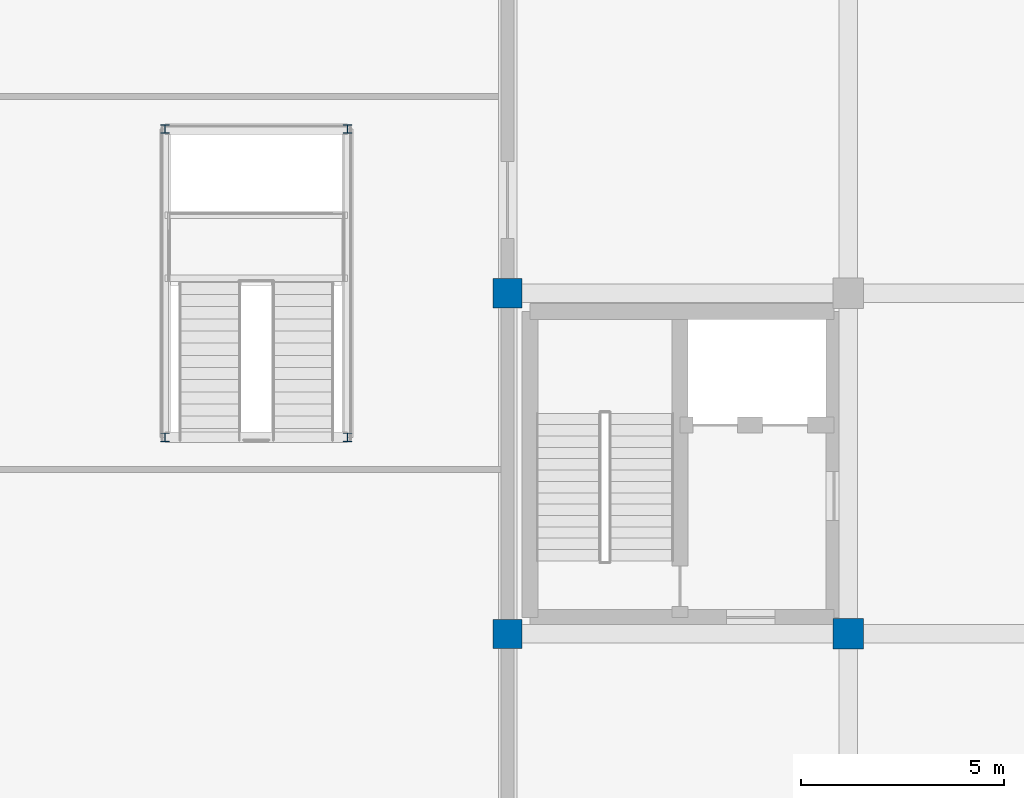
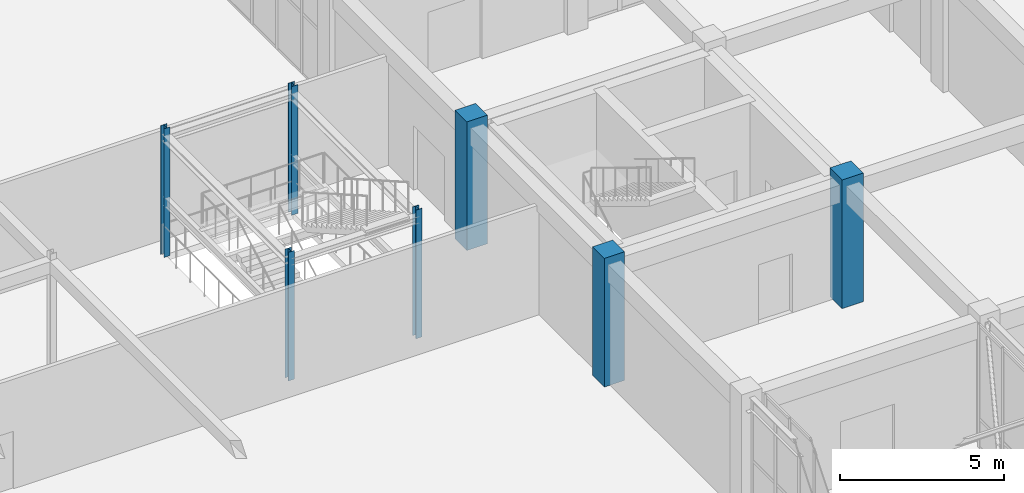
# One storey, part 4 of 158: 7 columns.
"""IFC4 building model written with IfcOpenShell, lengths in metres."""

import ifcopenshell
import ifcopenshell.guid

model = None  # the IFC model being written
_history = None  # IfcOwnerHistory: only IFC2X3 demands one
_inside = {}  # id of a spatial element -> (the spatial element, [elements in it])
_under = {}  # id of a project, library or spatial element -> (it, [spatial elements below it])
_declared = {}  # id of a project -> (the project, [libraries it declares])
_typed = {}  # id of a type object -> (the type object, [elements of that type])
_made_of = {}  # id of a material, layer set ... -> (it, [elements and type objects made of it])


def new_model(schema):
    """Start an empty IFC model of exactly this schema.

    Asked for "IFC4X3", IfcOpenShell would pick the latest addendum, in which some entities
    have other attributes; the version numbers below select the first issue.
    IFC2X3 requires an IfcOwnerHistory on every rooted entity: one is made here for all.
    """
    global model, _history
    if schema == "IFC4X3":
        model = ifcopenshell.file(schema_version=(4, 3, 0, 0))
    else:
        model = ifcopenshell.file(schema=schema)
    _inside.clear()
    _under.clear()
    _declared.clear()
    _typed.clear()
    _made_of.clear()
    _history = None
    if model.schema == "IFC2X3":
        org = make("IfcOrganization", Name="unknown")
        user = make(
            "IfcPersonAndOrganization",
            ThePerson=make("IfcPerson", FamilyName="unknown"),
            TheOrganization=org,
        )
        app = make(
            "IfcApplication",
            ApplicationDeveloper=org,
            Version="unknown",
            ApplicationFullName="unknown",
            ApplicationIdentifier="unknown",
        )
        _history = make(
            "IfcOwnerHistory",
            OwningUser=user,
            OwningApplication=app,
            ChangeAction="ADDED",
            CreationDate=0,
        )
    return model


def make(cls, **values):
    """One entity of the class cls with the attributes given. An attribute that is None is left unset."""
    return model.create_entity(
        cls, **{name: value for name, value in values.items() if value is not None}
    )


def rooted(cls, **values):
    """An entity with a GlobalId (a new one), such as an element, a storey or a relation."""
    return make(cls, GlobalId=ifcopenshell.guid.new(), OwnerHistory=_history, **values)


def si_unit(unit_type, name, prefix=None):
    """IfcSIUnit, for example si_unit("LENGTHUNIT", "METRE", prefix="MILLI")."""
    return make("IfcSIUnit", UnitType=unit_type, Prefix=prefix, Name=name)


def assignment(units):
    """IfcUnitAssignment: the units of a project."""
    return None if units is None else make("IfcUnitAssignment", Units=units)


def point(xyz):
    """IfcCartesianPoint."""
    return None if xyz is None else make("IfcCartesianPoint", Coordinates=xyz)


def direction(xyz):
    """IfcDirection."""
    return None if xyz is None else make("IfcDirection", DirectionRatios=xyz)


def frame(location, z_axis=None, x_axis=None):
    """IfcAxis2Placement3D, a coordinate frame: its origin and axes. An axis left out is left unset."""
    return make(
        "IfcAxis2Placement3D",
        Location=point(location),
        Axis=direction(z_axis),
        RefDirection=direction(x_axis),
    )


def frame_2d(location, x_axis=None):
    """IfcAxis2Placement2D, a coordinate frame in the plane: its origin and x axis."""
    return make(
        "IfcAxis2Placement2D", Location=point(location), RefDirection=direction(x_axis)
    )


def origin():
    """The frame at (0, 0, 0) with its axes left unset."""
    return frame((0.0, 0.0, 0.0))


def origin_2d():
    """The frame at (0, 0) in the plane with its x axis left unset."""
    return frame_2d((0.0, 0.0))


def place(relative_to, where):
    """IfcLocalPlacement: puts the frame where relative to a parent placement (None: the world)."""
    return make(
        "IfcLocalPlacement", PlacementRelTo=relative_to, RelativePlacement=where
    )


def context(
    kind, dimensions, precision=None, world=None, true_north=None, identifier=None
):
    """IfcGeometricRepresentationContext, for example the 3D "Model" context."""
    return make(
        "IfcGeometricRepresentationContext",
        ContextIdentifier=identifier,
        ContextType=kind,
        CoordinateSpaceDimension=dimensions,
        Precision=precision,
        WorldCoordinateSystem=world,
        TrueNorth=true_north,
    )


def subcontext(parent, identifier, kind, view, scale=None):
    """IfcGeometricRepresentationSubContext, for example "Body" below "Model"."""
    return make(
        "IfcGeometricRepresentationSubContext",
        ContextIdentifier=identifier,
        ContextType=kind,
        ParentContext=parent,
        TargetScale=scale,
        TargetView=view,
    )


def project(units=None, contexts=None):
    """IfcProject with its units and contexts."""
    return rooted(
        "IfcProject",
        Name="project",
        RepresentationContexts=contexts,
        UnitsInContext=assignment(units),
    )


def spatial(cls, under=None, at=None, **own):
    """A site, building, storey or space (cls), placed at a placement, below another one or the project."""
    s = rooted(cls, ObjectPlacement=at, **own)
    if under is not None:
        _under.setdefault(under.id(), (under, []))[1].append(s)
    return s


def profile(cls, at=None, kind="AREA", **sizes):
    """A parametric profile (cls). Its sizes go by their IFC names, for example OverallWidth=200.0."""
    return make(cls, ProfileType=kind, Position=at, **sizes)


def rectangle(**sizes):
    """IfcRectangleProfileDef."""
    return profile("IfcRectangleProfileDef", **sizes)


def i_section(**sizes):
    """IfcIShapeProfileDef."""
    return profile("IfcIShapeProfileDef", **sizes)


def extrude(swept, where, along, depth):
    """IfcExtrudedAreaSolid: the profile swept, set in the frame where, extruded along a direction by depth."""
    return make(
        "IfcExtrudedAreaSolid",
        SweptArea=swept,
        Position=where,
        ExtrudedDirection=direction(along),
        Depth=depth,
    )


def shape(context_of_items, identifier, shape_type, items):
    """IfcShapeRepresentation: the items that make up one representation, for example the "Body"."""
    return make(
        "IfcShapeRepresentation",
        ContextOfItems=context_of_items,
        RepresentationIdentifier=identifier,
        RepresentationType=shape_type,
        Items=items,
    )


def material(Name=None, Category=None):
    """IfcMaterial."""
    return make("IfcMaterial", Name=Name, Category=Category)


def material_profile(
    of_material, cross_section, Name=None, Category=None, Priority=None
):
    """IfcMaterialProfile: a cross section and its material."""
    return make(
        "IfcMaterialProfile",
        Name=Name,
        Material=of_material,
        Profile=cross_section,
        Priority=Priority,
        Category=Category,
    )


def profile_set(profiles, Name=None, composite=None):
    """IfcMaterialProfileSet."""
    return make(
        "IfcMaterialProfileSet",
        Name=Name,
        MaterialProfiles=profiles,
        CompositeProfile=composite,
    )


def made_of(thing, what):
    """Note that an element or type object is made of a material, layer set ...; save() writes the relation."""
    if what is not None:
        _made_of.setdefault(what.id(), (what, []))[1].append(thing)
    return thing


def type_object(cls, material=None, **own):
    """A type object (cls), such as IfcWallType, which elements share."""
    return made_of(rooted(cls, **own), material)


def element(
    cls,
    number,
    at=None,
    inside=None,
    cuts=None,
    type_object=None,
    material=None,
    context=None,
    identifier="Body",
    shape_type=None,
    held_by="IfcProductDefinitionShape",
    body=None,
    shapes=None,
    **own,
):
    """One element of the class cls, such as IfcWall. Its Tag is "e" and its number.

    at: its placement. inside: the storey or other place that contains it. cuts: it is an
    opening in that element (IfcRelVoidsElement). A single representation is given by context,
    identifier, shape_type and body (its items); several are given by shapes. held_by: the class
    of the entity that holds the representations. save() writes the other relations.
    """
    e = rooted(cls, Tag="e%d" % number, ObjectPlacement=at, **own)
    if body is not None:
        shapes = [shape(context, identifier, shape_type, body)]
    if shapes is not None:
        e.Representation = make(held_by, Representations=shapes)
    if inside is not None:
        _inside.setdefault(inside.id(), (inside, []))[1].append(e)
    if cuts is not None:
        rooted(
            "IfcRelVoidsElement", RelatingBuildingElement=cuts, RelatedOpeningElement=e
        )
    if type_object is not None:
        _typed.setdefault(type_object.id(), (type_object, []))[1].append(e)
    return made_of(e, material)


def aggregate(whole, parts):
    """IfcRelAggregates: a whole, such as a stair, and the parts it consists of."""
    return rooted("IfcRelAggregates", RelatingObject=whole, RelatedObjects=parts)


def save(model, path):
    """Write the relations noted so far, then the file.

    IfcRelAggregates (storeys below a building ...), IfcRelContainedInSpatialStructure (elements
    in a storey), IfcRelDefinesByType, IfcRelAssociatesMaterial and IfcRelDeclares: one each for
    every whole, place, type object, material and project.
    """
    for whole, parts in _under.values():
        aggregate(whole, parts)
    for where, things in _inside.values():
        rooted(
            "IfcRelContainedInSpatialStructure",
            RelatedElements=things,
            RelatingStructure=where,
        )
    for kind, things in _typed.values():
        rooted("IfcRelDefinesByType", RelatedObjects=things, RelatingType=kind)
    for what, things in _made_of.values():
        rooted("IfcRelAssociatesMaterial", RelatedObjects=things, RelatingMaterial=what)
    for by, libraries in _declared.values():
        rooted("IfcRelDeclares", RelatingContext=by, RelatedDefinitions=libraries)
    model.write(path)


model = new_model("IFC4")

# Units and contexts
model_context = context("Model", 3, precision=1e-05, world=origin(), true_north=direction((0.0, 1.0)))
body_context = subcontext(model_context, "Body", "Model", "MODEL_VIEW")
ifc_project = project(units=[si_unit("LENGTHUNIT", "METRE"), si_unit("AREAUNIT", "SQUARE_METRE"), si_unit("VOLUMEUNIT", "CUBIC_METRE"), si_unit("PLANEANGLEUNIT", "RADIAN"), si_unit("MASSUNIT", "GRAM", prefix="KILO")], contexts=[model_context])

# Site, building, storey
site_placement = place(None, origin())
site = spatial("IfcSite", under=ifc_project, at=site_placement, CompositionType="ELEMENT")
building_placement = place(site_placement, origin())
building = spatial("IfcBuilding", under=site, at=building_placement, Name="Trelvath General Hospital", CompositionType="ELEMENT")
storey_placement = place(building_placement, frame((0.0, 0.0, 8.10009765625)))
storey = spatial("IfcBuildingStorey", under=building, at=storey_placement, Name="L02", CompositionType="ELEMENT", Elevation=8.10009765625)

# Columns
ifc_material_1 = material(Name="Concrete C40/50", Category="concrete")
ifc_material_profile_1 = material_profile(ifc_material_1, rectangle(XDim=0.719970703125, YDim=0.719970703125, at=origin_2d()), Name="RC720x720")
ifc_profile_set_1 = profile_set([ifc_material_profile_1], Name="Concrete C40/50")
column_type_1 = type_object("IfcColumnType", Name="Column RC720", PredefinedType="COLUMN", material=ifc_profile_set_1)
for number, where, z_axis, x_axis, name in (
    (1, (75.60009765625, 50.39990234375, 0.0), (0.0, 0.0, 1.0), (1.0, 0.0, 0.0), "Column C-10G L02"),
    (2, (75.60009765625, 58.800048828125, 0.0), (0.0, 0.0, 1.0), (1.0, 0.0, 0.0), "Column C-10H L02"),
):
    element("IfcColumn", number, at=place(storey_placement, frame(where, z_axis=z_axis, x_axis=x_axis)), inside=storey, type_object=column_type_1, Name=name, PredefinedType="COLUMN", context=body_context, shape_type="SweptSolid", body=[
        extrude(rectangle(XDim=0.719970703125, YDim=0.719970703125, at=origin_2d()), origin(), (0.0, 0.0, 1.0), 4.7998046875),
    ])
ifc_material_2 = material(Name="Concrete C40/50", Category="concrete")
ifc_material_profile_2 = material_profile(ifc_material_2, rectangle(XDim=0.75, YDim=0.75, at=origin_2d()), Name="RC750x750")
ifc_profile_set_2 = profile_set([ifc_material_profile_2], Name="Concrete C40/50")
column_type_2 = type_object("IfcColumnType", Name="Column RC750", PredefinedType="COLUMN", material=ifc_profile_set_2)
column_placement = place(storey_placement, frame((84.0, 50.39990234375, 0.0), z_axis=(0.0, 0.0, 1.0), x_axis=(1.0, 0.0, 0.0)))
element("IfcColumn", 3, at=column_placement, inside=storey, type_object=column_type_2, Name="Column C-11G L02", PredefinedType="COLUMN", context=body_context, shape_type="SweptSolid", body=[
    extrude(rectangle(XDim=0.75, YDim=0.75, at=origin_2d()), origin(), (0.0, 0.0, 1.0), 4.7998046875),
])
ifc_material_3 = material(Name="Steel S355", Category="steel")
ifc_material_profile_3 = material_profile(ifc_material_3, i_section(OverallWidth=0.219970703125, OverallDepth=0.2099609375, WebThickness=0.007080078125, FlangeThickness=0.010986328125, at=origin_2d()), Name="HEA220")
ifc_profile_set_3 = profile_set([ifc_material_profile_3], Name="Steel S355")
column_type_3 = type_object("IfcColumnType", Name="StairPost HEA220", PredefinedType="COLUMN", material=ifc_profile_set_3)
for number, where, z_axis, x_axis, name in (
    (4, (67.14990234375, 55.25, 0.0), (0.0, 0.0, 1.0), (1.0, 0.0, 0.0), "Atrium Stair Post CUBE-W 1 L02"),
    (5, (71.64990234375, 55.25, 0.0), (0.0, 0.0, 1.0), (1.0, 0.0, 0.0), "Atrium Stair Post CUBE-W 2 L02"),
    (6, (67.14990234375, 62.85009765625, 0.0), (0.0, 0.0, 1.0), (1.0, 0.0, 0.0), "Atrium Stair Post CUBE-W 3 L02"),
    (7, (71.64990234375, 62.85009765625, 0.0), (0.0, 0.0, 1.0), (1.0, 0.0, 0.0), "Atrium Stair Post CUBE-W 4 L02"),
):
    element("IfcColumn", number, at=place(storey_placement, frame(where, z_axis=z_axis, x_axis=x_axis)), inside=storey, type_object=column_type_3, Name=name, PredefinedType="COLUMN", context=body_context, shape_type="SweptSolid", body=[
        extrude(i_section(OverallWidth=0.219970703125, OverallDepth=0.2099609375, WebThickness=0.007080078125, FlangeThickness=0.010986328125, at=origin_2d()), origin(), (0.0, 0.0, 1.0), 4.7998046875),
    ])

save(model, "model.ifc")
